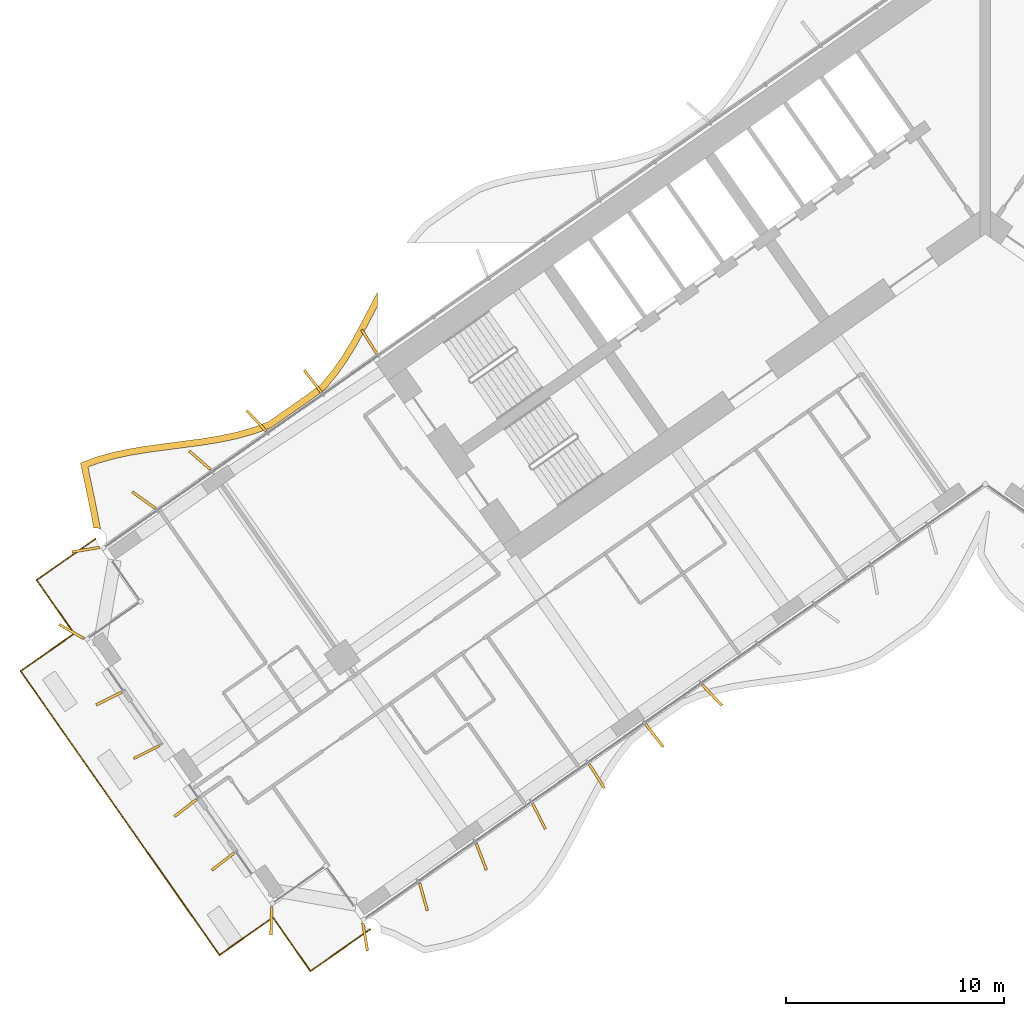
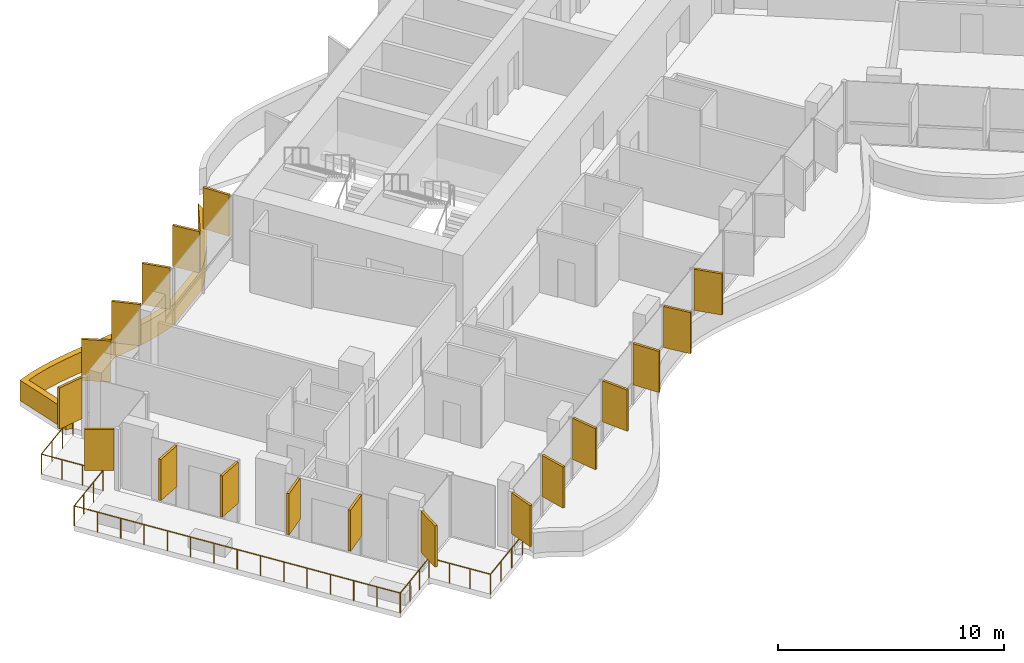
# One storey, part 19 of 25: 20 shading devices, 1 railing.
"""IFC4 building model written with IfcOpenShell, lengths in metres."""

from ifc_helpers import new_model, si_unit, direction, frame, origin, origin_2d, place, context, subcontext, project, spatial, polyline, rectangle, circle, outline, extrude, material, layer, layer_set, type_object, element, save


model = new_model("IFC4")

# Units and contexts
model_context = context("Model", 3, precision=1e-05, world=origin(), true_north=direction((0.0, 1.0)))
body_context = subcontext(model_context, "Body", "Model", "MODEL_VIEW")
ifc_project = project(units=[si_unit("LENGTHUNIT", "METRE"), si_unit("AREAUNIT", "SQUARE_METRE"), si_unit("VOLUMEUNIT", "CUBIC_METRE"), si_unit("PLANEANGLEUNIT", "RADIAN"), si_unit("MASSUNIT", "GRAM", prefix="KILO")], contexts=[model_context])

# Site, building, storey
site_placement = place(None, origin())
site = spatial("IfcSite", under=ifc_project, at=site_placement, CompositionType="ELEMENT")
building_placement = place(site_placement, origin())
building = spatial("IfcBuilding", under=site, at=building_placement, Name="Tel Ilan Convention Tower", CompositionType="ELEMENT")
storey_placement = place(building_placement, frame((0.0, 0.0, 97.699951171875)))
storey = spatial("IfcBuildingStorey", under=building, at=storey_placement, Name="L20", CompositionType="ELEMENT", Elevation=97.699951171875)

# Shading devices
ifc_material_1 = material(Name="Aluminium, bronze anodised", Category="aluminium")
ifc_layer_1 = layer(ifc_material_1, 0.1201171875)
ifc_layer_set_1 = layer_set([ifc_layer_1], Name="FIN BRONZE 1300x120")
shading_device_type_1 = type_object("IfcShadingDeviceType", Name="FIN BRONZE 1300x120", PredefinedType="USERDEFINED", material=ifc_layer_set_1)
for number, where, z_axis, x_axis, name in (
    (1, (-28.254150390625, -6.170166015625, 1.10009765625), (0.0, 0.0, 1.0), (-0.533204432798, 0.845986425922, 0.0), "FIN"),
    (2, (-30.842529296875, -7.982666015625, 1.10009765625), (0.0, 0.0, 1.0), (-0.612600545196, 0.790392669516, 0.0), "FIN"),
    (3, (-33.4306640625, -9.795166015625, 1.10009765625), (0.0, 0.0, 1.0), (-0.686241637865, 0.727373641577, 0.0), "FIN"),
    (4, (-36.0146484375, -11.6123046875, 1.10009765625), (0.0, 0.0, 1.0), (-0.753435896329, 0.657521368568, 0.0), "FIN"),
    (5, (-38.59375, -13.43359375, 1.10009765625), (0.0, 0.0, 1.0), (-0.813552070258, 0.581492071294, 0.0), "FIN"),
    (6, (-41.251220703125, -15.70703125, 1.10009765625), (0.0, 0.0, 1.0), (-0.986445172547, -0.16409119891, 0.0), "FIN"),
    (7, (-41.91259765625, -19.458984375, 1.10009765625), (0.0, 0.0, 1.0), (-0.870832754082, 0.491579408049, 0.0), "FIN"),
    (8, (-40.1943359375, -22.535888671875, 1.10009765625), (0.0, 0.0, 1.0), (-0.893632640321, -0.448799180206, 0.0), "FIN"),
    (9, (-38.4736328125, -24.993408203125, 1.10009765625), (0.0, 0.0, 1.0), (-0.893632640321, -0.448799180206, 0.0), "FIN"),
    (10, (-36.68115234375, -27.553955078125, 1.10009765625), (0.0, 0.0, 1.0), (-0.790392669516, -0.612600545196, 0.0), "FIN"),
    (11, (-34.960205078125, -30.011474609375, 1.10009765625), (0.0, 0.0, 1.0), (-0.790392669516, -0.612600545196, 0.0), "FIN"),
    (12, (-32.744140625, -32.72705078125, 1.10009765625), (0.0, 0.0, 1.0), (-0.029084718749, -0.999576950082, 0.0), "FIN"),
    (13, (-28.4423828125, -33.46630859375, 1.10009765625), (0.0, 0.0, 1.0), (0.16409119891, -0.986445172547, 0.0), "FIN"),
    (14, (-25.76513671875, -31.631103515625, 1.10009765625), (0.0, 0.0, 1.0), (0.268172612768, -0.963370878614, 0.0), "FIN"),
    (15, (-23.113525390625, -29.78955078125, 1.10009765625), (0.0, 0.0, 1.0), (0.360177724803, -0.932883704733, 0.0), "FIN"),
    (16, (-20.464111328125, -27.9423828125, 1.10009765625), (0.0, 0.0, 1.0), (0.448799180206, -0.893632640321, 0.0), "FIN"),
    (17, (-17.8173828125, -26.089599609375, 1.10009765625), (0.0, 0.0, 1.0), (0.533204432798, -0.845986425922, 0.0), "FIN"),
    (18, (-15.1708984375, -24.236328125, 1.10009765625), (0.0, 0.0, 1.0), (0.612600545196, -0.790392669516, 0.0), "FIN"),
    (19, (-12.524658203125, -22.383056640625, 1.10009765625), (0.0, 0.0, 1.0), (0.686241637865, -0.727373641577, 0.0), "FIN"),
):
    element("IfcShadingDevice", number, at=place(storey_placement, frame(where, z_axis=z_axis, x_axis=x_axis)), inside=storey, type_object=shading_device_type_1, Name=name, ObjectType="FIN", PredefinedType="USERDEFINED", context=body_context, shape_type="SweptSolid", body=[
        extrude(rectangle(XDim=1.300048828125, YDim=0.1201171875, at=origin_2d()), origin(), (0.0, 0.0, 1.0), 2.219970703125),
    ])
ifc_material_2 = material(Name="Aluminium, bronze anodised", Category="aluminium")
ifc_layer_2 = layer(ifc_material_2, 0.300048828125)
ifc_layer_set_2 = layer_set([ifc_layer_2], Name="LOUVRE BAND 300x1100")
shading_device_type_2 = type_object("IfcShadingDeviceType", Name="LOUVRE BAND 300x1100", PredefinedType="USERDEFINED", material=ifc_layer_set_2)
shading_device_placement = place(storey_placement, origin())
element("IfcShadingDevice", 20, at=shading_device_placement, inside=storey, type_object=shading_device_type_2, Name="LOUVRE BAND 18.03", ObjectType="LOUVRE", PredefinedType="USERDEFINED", context=body_context, shape_type="SweptSolid", body=[
    extrude(outline(polyline([(-40.888427734375, -14.71435546875), (-40.822998046875, -14.709716796875), (-40.725341796875, -14.717041015625), (-40.631103515625, -14.74365234375), (-40.572021484375, -14.769775390625), (-40.81787109375, -13.5107421875), (-41.15283203125, -11.91748046875), (-40.691162109375, -11.74365234375), (-39.958740234375, -11.537353515625), (-39.189208984375, -11.373779296875), (-38.390625, -11.24267578125), (-35.911865234375, -10.914306640625), (-35.091064453125, -10.780029296875), (-34.288330078125, -10.610107421875), (-33.512451171875, -10.392333984375), (-32.749267578125, -10.1083984375), (-30.893798828125, -8.81396484375), (-30.2685546875, -8.34814453125), (-29.747314453125, -7.72314453125), (-29.28173828125, -7.063232421875), (-28.85107421875, -6.363037109375), (-28.4462890625, -5.63525390625), (-27.874755859375, -4.5361328125), (-27.874755859375, -3.88330078125), (-28.71044921875, -5.49267578125), (-29.10986328125, -6.211669921875), (-29.5322265625, -6.89794921875), (-29.9853515625, -7.540283203125), (-30.47607421875, -8.128662109375), (-31.069580078125, -8.57080078125), (-32.88916015625, -9.84033203125), (-33.60546875, -10.10693359375), (-34.360107421875, -10.318603515625), (-35.146240234375, -10.485107421875), (-35.956298828125, -10.61767578125), (-38.43505859375, -10.946044921875), (-39.244873046875, -11.078857421875), (-40.03076171875, -11.245849609375), (-40.784912109375, -11.45849609375), (-41.499267578125, -11.727294921875), (-41.11181640625, -13.5703125), (-40.888427734375, -14.71435546875)])), origin(), (0.0, 0.0, 1.0), 1.10009765625),
])

# Railing
ifc_material_3 = material(Name="Stainless steel S316", Category="steel")
railing_type = type_object("IfcRailingType", Name="TERRACE GUARD 1100", PredefinedType="GUARDRAIL", material=ifc_material_3)
railing_placement = place(storey_placement, frame((-28.218994140625, -33.126708984375, 0.0)))
element("IfcRailing", 21, at=railing_placement, inside=storey, type_object=railing_type, Name="Terrace guard 18.01", PredefinedType="GUARDRAIL", context=body_context, shape_type="SweptSolid", body=[
    extrude(circle(Radius=0.02490234375, at=origin_2d()), frame((0.0, 0.0, 1.0751953125), z_axis=(-0.819145895737, -0.573585217292, 0.0), x_axis=(0.573585217292, -0.819145895737, 0.0)), (0.0, 0.0, 1.0), 3.33349609375),
    extrude(circle(Radius=0.02490234375, at=origin_2d()), frame((-2.730712890625, -1.912109375, 1.0751953125), z_axis=(-0.573560650686, 0.819163097304, 0.0), x_axis=(-0.819163097304, -0.573560650686, 0.0)), (0.0, 0.0, 1.0), 3.0),
    extrude(circle(Radius=0.02490234375, at=origin_2d()), frame((-4.451416015625, 0.54541015625, 1.0751953125), z_axis=(-0.819163097304, -0.573560650686, 0.0), x_axis=(0.573560650686, -0.819163097304, 0.0)), (0.0, 0.0, 1.0), 3.0),
    extrude(circle(Radius=0.02490234375, at=origin_2d()), frame((-6.908935546875, -1.17529296875, 1.0751953125), z_axis=(-0.573579818404, 0.81914967614, 0.0), x_axis=(-0.81914967614, -0.573579818404, 0.0)), (0.0, 0.0, 1.0), 15.89990234375),
    extrude(circle(Radius=0.02490234375, at=origin_2d()), frame((-16.02880859375, 11.84912109375, 1.0751953125), z_axis=(0.819163097304, 0.573560650686, 0.0), x_axis=(-0.573560650686, 0.819163097304, 0.0)), (0.0, 0.0, 1.0), 3.0),
    extrude(circle(Radius=0.02490234375, at=origin_2d()), frame((-13.5712890625, 13.56982421875, 1.0751953125), z_axis=(-0.573560650686, 0.819163097304, 0.0), x_axis=(-0.819163097304, -0.573560650686, 0.0)), (0.0, 0.0, 1.0), 3.0),
    extrude(circle(Radius=0.02490234375, at=origin_2d()), frame((-15.2919921875, 16.02734375, 1.0751953125), z_axis=(0.819120503805, 0.573621478194, 0.0), x_axis=(-0.573621478194, 0.819120503805, 0.0)), (0.0, 0.0, 1.0), 3.294677734375),
    extrude(circle(Radius=0.02490234375, at=origin_2d()), origin(), (0.0, 0.0, 1.0), 1.050048828125),
    extrude(circle(Radius=0.02490234375, at=origin_2d()), frame((-0.91015625, -0.637451171875, 0.0)), (0.0, 0.0, 1.0), 1.050048828125),
    extrude(circle(Radius=0.02490234375, at=origin_2d()), frame((-1.820556640625, -1.274658203125, 0.0)), (0.0, 0.0, 1.0), 1.050048828125),
    extrude(circle(Radius=0.02490234375, at=origin_2d()), frame((-2.730712890625, -1.912109375, 0.0)), (0.0, 0.0, 1.0), 1.050048828125),
    extrude(circle(Radius=0.02490234375, at=origin_2d()), frame((-3.30419921875, -1.093017578125, 0.0)), (0.0, 0.0, 1.0), 1.050048828125),
    extrude(circle(Radius=0.02490234375, at=origin_2d()), frame((-3.8779296875, -0.273681640625, 0.0)), (0.0, 0.0, 1.0), 1.050048828125),
    extrude(circle(Radius=0.02490234375, at=origin_2d()), frame((-4.451416015625, 0.54541015625, 0.0)), (0.0, 0.0, 1.0), 1.050048828125),
    extrude(circle(Radius=0.02490234375, at=origin_2d()), frame((-5.2705078125, -0.028076171875, 0.0)), (0.0, 0.0, 1.0), 1.050048828125),
    extrude(circle(Radius=0.02490234375, at=origin_2d()), frame((-6.08984375, -0.601806640625, 0.0)), (0.0, 0.0, 1.0), 1.050048828125),
    extrude(circle(Radius=0.02490234375, at=origin_2d()), frame((-6.908935546875, -1.17529296875, 0.0)), (0.0, 0.0, 1.0), 1.050048828125),
    extrude(circle(Radius=0.02490234375, at=origin_2d()), frame((-7.560302734375, -0.244873046875, 0.0)), (0.0, 0.0, 1.0), 1.050048828125),
    extrude(circle(Radius=0.02490234375, at=origin_2d()), frame((-8.211669921875, 0.685302734375, 0.0)), (0.0, 0.0, 1.0), 1.050048828125),
    extrude(circle(Radius=0.02490234375, at=origin_2d()), frame((-8.86328125, 1.61572265625, 0.0)), (0.0, 0.0, 1.0), 1.050048828125),
    extrude(circle(Radius=0.02490234375, at=origin_2d()), frame((-9.5146484375, 2.5458984375, 0.0)), (0.0, 0.0, 1.0), 1.050048828125),
    extrude(circle(Radius=0.02490234375, at=origin_2d()), frame((-10.166015625, 3.476318359375, 0.0)), (0.0, 0.0, 1.0), 1.050048828125),
    extrude(circle(Radius=0.02490234375, at=origin_2d()), frame((-10.8173828125, 4.406494140625, 0.0)), (0.0, 0.0, 1.0), 1.050048828125),
    extrude(circle(Radius=0.02490234375, at=origin_2d()), frame((-11.46875, 5.3369140625, 0.0)), (0.0, 0.0, 1.0), 1.050048828125),
    extrude(circle(Radius=0.02490234375, at=origin_2d()), frame((-12.120361328125, 6.267333984375, 0.0)), (0.0, 0.0, 1.0), 1.050048828125),
    extrude(circle(Radius=0.02490234375, at=origin_2d()), frame((-12.771728515625, 7.197509765625, 0.0)), (0.0, 0.0, 1.0), 1.050048828125),
    extrude(circle(Radius=0.02490234375, at=origin_2d()), frame((-13.423095703125, 8.1279296875, 0.0)), (0.0, 0.0, 1.0), 1.050048828125),
    extrude(circle(Radius=0.02490234375, at=origin_2d()), frame((-14.074462890625, 9.05810546875, 0.0)), (0.0, 0.0, 1.0), 1.050048828125),
    extrude(circle(Radius=0.02490234375, at=origin_2d()), frame((-14.72607421875, 9.988525390625, 0.0)), (0.0, 0.0, 1.0), 1.050048828125),
    extrude(circle(Radius=0.02490234375, at=origin_2d()), frame((-15.37744140625, 10.918701171875, 0.0)), (0.0, 0.0, 1.0), 1.050048828125),
    extrude(circle(Radius=0.02490234375, at=origin_2d()), frame((-16.02880859375, 11.84912109375, 0.0)), (0.0, 0.0, 1.0), 1.050048828125),
    extrude(circle(Radius=0.02490234375, at=origin_2d()), frame((-15.209716796875, 12.422607421875, 0.0)), (0.0, 0.0, 1.0), 1.050048828125),
    extrude(circle(Radius=0.02490234375, at=origin_2d()), frame((-14.390380859375, 12.996337890625, 0.0)), (0.0, 0.0, 1.0), 1.050048828125),
    extrude(circle(Radius=0.02490234375, at=origin_2d()), frame((-13.5712890625, 13.56982421875, 0.0)), (0.0, 0.0, 1.0), 1.050048828125),
    extrude(circle(Radius=0.02490234375, at=origin_2d()), frame((-14.144775390625, 14.388916015625, 0.0)), (0.0, 0.0, 1.0), 1.050048828125),
    extrude(circle(Radius=0.02490234375, at=origin_2d()), frame((-14.718505859375, 15.208251953125, 0.0)), (0.0, 0.0, 1.0), 1.050048828125),
    extrude(circle(Radius=0.02490234375, at=origin_2d()), frame((-15.2919921875, 16.02734375, 0.0)), (0.0, 0.0, 1.0), 1.050048828125),
    extrude(circle(Radius=0.02490234375, at=origin_2d()), frame((-14.392333984375, 16.6572265625, 0.0)), (0.0, 0.0, 1.0), 1.050048828125),
    extrude(circle(Radius=0.02490234375, at=origin_2d()), frame((-13.492919921875, 17.287353515625, 0.0)), (0.0, 0.0, 1.0), 1.050048828125),
    extrude(circle(Radius=0.02490234375, at=origin_2d()), frame((-12.59326171875, 17.917236328125, 0.0)), (0.0, 0.0, 1.0), 1.050048828125),
])

save(model, "model.ifc")
